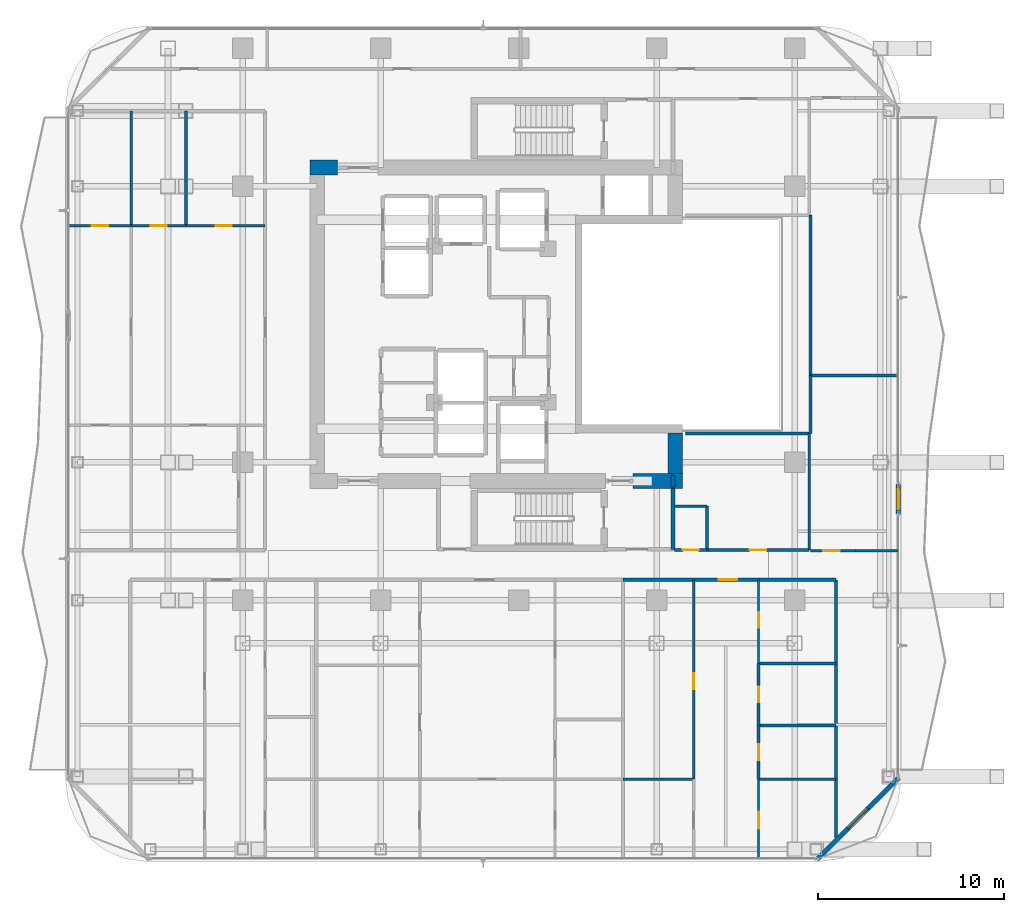
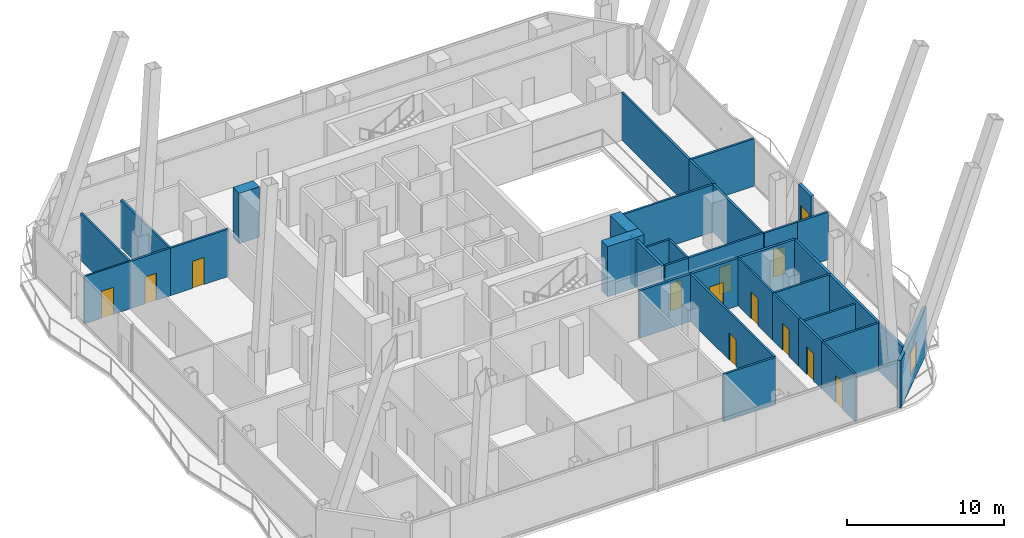
# One storey, part 22 of 27: 34 walls, 13 doors, 1 window, 14 openings.
"""IFC4 building model written with IfcOpenShell, lengths in metres."""

from ifc_helpers import new_model, si_unit, direction, frame, frame_2d, origin, place, context, subcontext, project, spatial, rectangle, extrude, material, layer, layer_set, type_object, element, fill, save


model = new_model("IFC4")

# Units and contexts
model_context = context("Model", 3, precision=1e-05, world=origin(), true_north=direction((0.0, 1.0)))
body_context = subcontext(model_context, "Body", "Model", "MODEL_VIEW")
ifc_project = project(units=[si_unit("LENGTHUNIT", "METRE"), si_unit("AREAUNIT", "SQUARE_METRE"), si_unit("VOLUMEUNIT", "CUBIC_METRE"), si_unit("PLANEANGLEUNIT", "RADIAN"), si_unit("MASSUNIT", "GRAM", prefix="KILO")], contexts=[model_context])

# Site, building, storey
site_placement = place(None, origin())
site = spatial("IfcSite", under=ifc_project, at=site_placement, CompositionType="ELEMENT")
building_placement = place(site_placement, origin())
building = spatial("IfcBuilding", under=site, at=building_placement, Name="Khorvyn Point Tower", CompositionType="ELEMENT")
storey_placement = place(building_placement, frame((0.0, 0.0, 203.10009765625)))
storey = spatial("IfcBuildingStorey", under=building, at=storey_placement, Name="L50", CompositionType="ELEMENT", Elevation=203.10009765625)

# Wall, opening, door
ifc_material_1 = material(Name="Double acoustic gypsum on twin steel stud", Category="steel")
ifc_layer_1 = layer(ifc_material_1, 0.179931640625)
ifc_layer_set_1 = layer_set([ifc_layer_1], Name="Acoustic Double-Stud Apartment Demising Wall 180")
wall_type_1 = type_object("IfcWallType", Name="Acoustic Double-Stud Apartment Demising Wall 180", PredefinedType="PARTITIONING", material=ifc_layer_set_1)
wall_1_placement = place(storey_placement, frame((5.59912109375, -13.699951171875, 0.0), z_axis=(0.0, 0.0, 1.0), x_axis=(1.0, 0.0, 0.0)))
wall_1 = element("IfcWall", 1, at=wall_1_placement, inside=storey, type_object=wall_type_1, Name="Wall", PredefinedType="PARTITIONING", context=body_context, shape_type="SweptSolid", body=[
    extrude(rectangle(XDim=11.4208984375, YDim=0.179931640625, at=frame_2d((5.71044921875, 0.0))), origin(), (0.0, 0.0, 1.0), 3.679931640625),
])
opening_1_placement = place(wall_1_placement, frame((5.121826171875, 0.0, 0.0)))
opening_1 = element("IfcOpeningElement", 2, at=opening_1_placement, cuts=wall_1, Name="Opening ID-AP60", PredefinedType="OPENING", context=body_context, shape_type="SweptSolid", body=[
    extrude(rectangle(XDim=1.0, YDim=2.199951171875, at=frame_2d((0.5, 1.10009765625))), frame((0.0, 0.099853515625, 0.0), z_axis=(0.0, -1.0, 0.0), x_axis=(1.0, 0.0, 0.0)), (0.0, 0.0, 1.0), 0.199951171875),
])
ifc_material_2 = material(Name="Engineered hardwood fire-rated leaf", Category="wood")
door_type_1 = type_object("IfcDoorType", Name="Acoustic Solid-Core Timber Apartment Entrance Door 1000x2200", OperationType="NOTDEFINED", PredefinedType="DOOR", material=ifc_material_2)
door_1_placement = place(opening_1_placement, origin())
door_1 = element("IfcDoor", 3, at=door_1_placement, inside=storey, type_object=door_type_1, Name="Door", OperationType="SINGLE_SWING_RIGHT", OverallHeight=2.199951171875, OverallWidth=1.0, PredefinedType="DOOR", context=body_context, shape_type="SweptSolid", body=[
    extrude(rectangle(XDim=1.0, YDim=2.199951171875, at=frame_2d((0.5, 1.10009765625))), frame((0.0, 0.02490234375, 0.0), z_axis=(0.0, -1.0, 0.0), x_axis=(1.0, 0.0, 0.0)), (0.0, 0.0, 1.0), 0.050048828125),
])
fill(opening_1, door_1)

# Wall
wall_2_placement = place(storey_placement, frame((17.02001953125, -27.510009765625, 0.0), z_axis=(0.0, 0.0, 1.0), x_axis=(0.0, 1.0, 0.0)))
element("IfcWall", 4, at=wall_2_placement, inside=storey, type_object=wall_type_1, Name="Wall", PredefinedType="PARTITIONING", context=body_context, shape_type="SweptSolid", body=[
    extrude(rectangle(XDim=13.81005859375, YDim=0.179931640625, at=frame_2d((6.905029296875, 0.0))), origin(), (0.0, 0.0, 1.0), 3.679931640625),
])

# Wall, opening, door
ifc_material_3 = material(Name="Pale anodised aluminium rainscreen on steel stud", Category="steel")
ifc_layer_2 = layer(ifc_material_3, 0.239990234375)
ifc_layer_set_2 = layer_set([ifc_layer_2], Name="Anodised Aluminium Insulated Corner Spandrel Wall 240")
wall_type_2 = type_object("IfcWallType", Name="Anodised Aluminium Insulated Corner Spandrel Wall 240", PredefinedType="SOLIDWALL", material=ifc_layer_set_2)
wall_3_placement = place(storey_placement, frame((20.35009765625, -8.576904296875, 0.0), z_axis=(0.0, 0.0, 1.0), x_axis=(0.0, -1.0, 0.0)))
wall_3 = element("IfcWall", 5, at=wall_3_placement, inside=storey, type_object=wall_type_2, Name="L50 East Outdoor Threshold Wall", PredefinedType="SOLIDWALL", context=body_context, shape_type="SweptSolid", body=[
    extrude(rectangle(XDim=1.580078125, YDim=0.239990234375, at=frame_2d((0.7900390625, 0.0))), origin(), (0.0, 0.0, 1.0), 3.679931640625),
])
opening_2_placement = place(wall_3_placement, frame((0.239990234375, 0.0, 0.0)))
opening_2 = element("IfcOpeningElement", 6, at=opening_2_placement, cuts=wall_3, Name="Opening BD-1122", PredefinedType="OPENING", context=body_context, shape_type="SweptSolid", body=[
    extrude(rectangle(XDim=1.10009765625, YDim=2.199951171875, at=frame_2d((0.550048828125, 1.10009765625))), frame((0.0, 0.1298828125, 0.0), z_axis=(0.0, -1.0, 0.0), x_axis=(1.0, 0.0, 0.0)), (0.0, 0.0, 1.0), 0.260009765625),
])
ifc_material_4 = material(Name="Anodised aluminium 6063-T6 and laminated Low-E glass", Category="aluminium")
door_type_2 = type_object("IfcDoorType", Name="Glazed Balcony and Terrace Threshold Door 1100x2200", OperationType="NOTDEFINED", PredefinedType="DOOR", material=ifc_material_4)
door_2_placement = place(opening_2_placement, origin())
door_2 = element("IfcDoor", 7, at=door_2_placement, inside=storey, type_object=door_type_2, Name="L50 East Glazed Balcony Outdoor Door", OperationType="SINGLE_SWING_LEFT", OverallHeight=2.199951171875, OverallWidth=1.10009765625, PredefinedType="DOOR", context=body_context, shape_type="SweptSolid", body=[
    extrude(rectangle(XDim=1.10009765625, YDim=2.199951171875, at=frame_2d((0.550048828125, 1.10009765625))), frame((0.0, 0.02490234375, 0.0), z_axis=(0.0, -1.0, 0.0), x_axis=(1.0, 0.0, 0.0)), (0.0, 0.0, 1.0), 0.050048828125),
])
fill(opening_2, door_2)

# Wall, opening, window
wall_4_placement = place(storey_placement, frame((20.392333984375, -24.3076171875, 0.0), z_axis=(0.0, 0.0, 1.0), x_axis=(-0.707106781187, -0.707106781187, 0.0)))
wall_4 = element("IfcWall", 8, at=wall_4_placement, inside=storey, type_object=wall_type_2, Name="L50 Rounded Corner Wall SE", PredefinedType="SOLIDWALL", context=body_context, shape_type="SweptSolid", body=[
    extrude(rectangle(XDim=6.200927734375, YDim=0.239990234375, at=frame_2d((3.1005859375, 0.0))), origin(), (0.0, 0.0, 1.0), 3.679931640625),
])
opening_3_placement = place(wall_4_placement, frame((2.3505859375, 0.0, 0.800048828125)))
opening_3 = element("IfcOpeningElement", 9, at=opening_3_placement, cuts=wall_4, Name="Opening WN-1518", PredefinedType="OPENING", context=body_context, shape_type="SweptSolid", body=[
    extrude(rectangle(XDim=1.5, YDim=1.85009765625, at=frame_2d((0.75, 0.925048828125))), frame((0.0, 0.1298828125, 0.0), z_axis=(0.0, -1.0, 0.0), x_axis=(1.0, 0.0, 0.0)), (0.0, 0.0, 1.0), 0.260009765625),
])
window_type = type_object("IfcWindowType", Name="Anodised Aluminium Rounded-Corner Panoramic Window 1500x1850", PartitioningType="SINGLE_PANEL", PredefinedType="WINDOW", material=ifc_material_4)
window_placement = place(opening_3_placement, origin())
window = element("IfcWindow", 10, at=window_placement, inside=storey, type_object=window_type, Name="L50 Corner Panoramic Window SE", OverallHeight=1.85009765625, OverallWidth=1.5, PartitioningType="SINGLE_PANEL", PredefinedType="WINDOW", context=body_context, shape_type="SweptSolid", body=[
    extrude(rectangle(XDim=1.5, YDim=1.85009765625, at=frame_2d((0.75, 0.925048828125))), frame((0.0, 0.030029296875, 0.0), z_axis=(0.0, -1.0, 0.0), x_axis=(1.0, 0.0, 0.0)), (0.0, 0.0, 1.0), 0.06005859375),
])
fill(opening_3, window)

# Walls
ifc_material_5 = material(Name="Concrete C40/50", Category="concrete")
ifc_layer_3 = layer(ifc_material_5, 0.199951171875)
ifc_layer_set_3 = layer_set([ifc_layer_3], Name="Concrete C40/50 Fire-Lobby Compartment Wall 200")
wall_type_3 = type_object("IfcWallType", Name="Concrete C40/50 Fire-Lobby Compartment Wall 200", PredefinedType="SOLIDWALL", material=ifc_layer_set_3)
wall_5_placement = place(storey_placement, frame((8.280029296875, -12.06005859375, 0.0), z_axis=(0.0, 0.0, 1.0), x_axis=(0.0, 1.0, 0.0)))
element("IfcWall", 11, at=wall_5_placement, inside=storey, type_object=wall_type_3, Name="Wall", PredefinedType="SOLIDWALL", context=body_context, shape_type="SweptSolid", body=[
    extrude(rectangle(XDim=3.260009765625, YDim=0.199951171875, at=frame_2d((1.6298828125, 0.0))), origin(), (0.0, 0.0, 1.0), 3.679931640625),
])
wall_6_placement = place(storey_placement, frame((8.280029296875, -8.72509765625, 0.0), z_axis=(0.0, 0.0, 1.0), x_axis=(0.0, 1.0, 0.0)))
element("IfcWall", 12, at=wall_6_placement, inside=storey, type_object=wall_type_3, Name="Wall", PredefinedType="SOLIDWALL", context=body_context, shape_type="SweptSolid", body=[
    extrude(rectangle(XDim=0.625, YDim=0.199951171875, at=frame_2d((0.3125, 0.0))), origin(), (0.0, 0.0, 1.0), 3.679931640625),
])
ifc_material_6 = material(Name="Concrete C45/55", Category="concrete")
ifc_layer_4 = layer(ifc_material_6, 0.800048828125)
ifc_layer_set_4 = layer_set([ifc_layer_4], Name="Concrete C45/55 Core Shear Wall 800")
wall_type_4 = type_object("IfcWallType", Name="Concrete C45/55 Core Shear Wall 800", PredefinedType="SHEAR", material=ifc_layer_set_4)
wall_7_placement = place(storey_placement, frame((6.1201171875, -8.39990234375, 0.0), z_axis=(0.0, 0.0, 1.0), x_axis=(1.0, 0.0, 0.0)))
element("IfcWall", 13, at=wall_7_placement, inside=storey, type_object=wall_type_4, Name="Wall", PredefinedType="SHEAR", context=body_context, shape_type="SweptSolid", body=[
    extrude(rectangle(XDim=2.679931640625, YDim=0.800048828125, at=frame_2d((1.33984375, 0.0))), origin(), (0.0, 0.0, 1.0), 3.89990234375),
])
wall_8_placement = place(storey_placement, frame((-11.199951171875, 8.39990234375, 0.0), z_axis=(0.0, 0.0, 1.0), x_axis=(1.0, 0.0, 0.0)))
element("IfcWall", 14, at=wall_8_placement, inside=storey, type_object=wall_type_4, Name="Wall", PredefinedType="SHEAR", context=body_context, shape_type="SweptSolid", body=[
    extrude(rectangle(XDim=1.5, YDim=0.800048828125, at=frame_2d((0.75, 0.0))), origin(), (0.0, 0.0, 1.0), 3.89990234375),
])
wall_9_placement = place(storey_placement, frame((8.39990234375, -8.0, 0.0), z_axis=(0.0, 0.0, 1.0), x_axis=(0.0, 1.0, 0.0)))
element("IfcWall", 15, at=wall_9_placement, inside=storey, type_object=wall_type_4, Name="Wall", PredefinedType="SHEAR", context=body_context, shape_type="SweptSolid", body=[
    extrude(rectangle(XDim=2.175048828125, YDim=0.800048828125, at=frame_2d((1.08740234375, 0.0))), origin(), (0.0, 0.0, 1.0), 3.89990234375),
])

# Wall, opening, door
ifc_material_7 = material(Name="Gypsum plasterboard on steel stud", Category="steel")
ifc_layer_5 = layer(ifc_material_7, 0.1201171875)
ifc_layer_set_5 = layer_set([ifc_layer_5], Name="Gypsum Acoustic Stud Room Partition Wall 120")
wall_type_5 = type_object("IfcWallType", Name="Gypsum Acoustic Stud Room Partition Wall 120", PredefinedType="PARTITIONING", material=ifc_layer_set_5)
wall_10_placement = place(storey_placement, frame((12.865966796875, -18.18994140625, 0.0), z_axis=(0.0, 0.0, 1.0), x_axis=(0.0, 1.0, 0.0)))
wall_10 = element("IfcWall", 16, at=wall_10_placement, inside=storey, type_object=wall_type_5, Name="Wall", PredefinedType="PARTITIONING", context=body_context, shape_type="SweptSolid", body=[
    extrude(rectangle(XDim=4.489990234375, YDim=0.1201171875, at=frame_2d((2.2451171875, 0.0))), origin(), (0.0, 0.0, 1.0), 3.679931640625),
])
opening_4_placement = place(wall_10_placement, frame((1.907470703125, 0.0, 0.0)))
opening_4 = element("IfcOpeningElement", 17, at=opening_4_placement, cuts=wall_10, Name="Opening ID-WC85", PredefinedType="OPENING", context=body_context, shape_type="SweptSolid", body=[
    extrude(rectangle(XDim=0.85009765625, YDim=2.10009765625, at=frame_2d((0.425048828125, 1.050048828125))), frame((0.0, 0.070068359375, 0.0), z_axis=(0.0, -1.0, 0.0), x_axis=(1.0, 0.0, 0.0)), (0.0, 0.0, 1.0), 0.14013671875),
])
ifc_material_8 = material(Name="High-pressure laminate on moisture-resistant core", Category="wood")
door_type_3 = type_object("IfcDoorType", Name="Moisture-Resistant Accessible Washroom Door 850x2100", OperationType="NOTDEFINED", PredefinedType="DOOR", material=ifc_material_8)
door_3_placement = place(opening_4_placement, origin())
door_3 = element("IfcDoor", 18, at=door_3_placement, inside=storey, type_object=door_type_3, Name="Door", OperationType="SINGLE_SWING_LEFT", OverallHeight=2.10009765625, OverallWidth=0.85009765625, PredefinedType="DOOR", context=body_context, shape_type="SweptSolid", body=[
    extrude(rectangle(XDim=0.85009765625, YDim=2.10009765625, at=frame_2d((0.425048828125, 1.050048828125))), frame((0.0, 0.02490234375, 0.0), z_axis=(0.0, -1.0, 0.0), x_axis=(1.0, 0.0, 0.0)), (0.0, 0.0, 1.0), 0.050048828125),
])
fill(opening_4, door_3)

wall_11_placement = place(storey_placement, frame((12.865966796875, -28.6298828125, 0.0), z_axis=(0.0, 0.0, 1.0), x_axis=(0.0, 1.0, 0.0)))
wall_11 = element("IfcWall", 19, at=wall_11_placement, inside=storey, type_object=wall_type_5, Name="Wall", PredefinedType="PARTITIONING", context=body_context, shape_type="SweptSolid", body=[
    extrude(rectangle(XDim=4.239990234375, YDim=0.1201171875, at=frame_2d((2.1201171875, 0.0))), origin(), (0.0, 0.0, 1.0), 3.679931640625),
])
opening_5_placement = place(wall_11_placement, frame((1.581298828125, 0.0, 0.0)))
opening_5 = element("IfcOpeningElement", 20, at=opening_5_placement, cuts=wall_11, Name="Opening ID-RM90", PredefinedType="OPENING", context=body_context, shape_type="SweptSolid", body=[
    extrude(rectangle(XDim=0.89990234375, YDim=2.10009765625, at=frame_2d((0.449951171875, 1.050048828125))), frame((0.0, 0.070068359375, 0.0), z_axis=(0.0, -1.0, 0.0), x_axis=(1.0, 0.0, 0.0)), (0.0, 0.0, 1.0), 0.14013671875),
])
ifc_material_9 = material(Name="Engineered oak veneer timber", Category="wood")
door_type_4 = type_object("IfcDoorType", Name="Flush Engineered Timber Room Door 900x2100", OperationType="NOTDEFINED", PredefinedType="DOOR", material=ifc_material_9)
door_4_placement = place(opening_5_placement, origin())
door_4 = element("IfcDoor", 21, at=door_4_placement, inside=storey, type_object=door_type_4, Name="Door", OperationType="SINGLE_SWING_RIGHT", OverallHeight=2.10009765625, OverallWidth=0.89990234375, PredefinedType="DOOR", context=body_context, shape_type="SweptSolid", body=[
    extrude(rectangle(XDim=0.89990234375, YDim=2.10009765625, at=frame_2d((0.449951171875, 1.050048828125))), frame((0.0, 0.02490234375, 0.0), z_axis=(0.0, -1.0, 0.0), x_axis=(1.0, 0.0, 0.0)), (0.0, 0.0, 1.0), 0.050048828125),
])
fill(opening_5, door_4)

wall_12_placement = place(storey_placement, frame((-24.1298828125, 5.281982421875, 0.0), z_axis=(0.0, 0.0, 1.0), x_axis=(1.0, 0.0, 0.0)))
wall_12 = element("IfcWall", 22, at=wall_12_placement, inside=storey, type_object=wall_type_5, Name="Wall", PredefinedType="PARTITIONING", context=body_context, shape_type="SweptSolid", body=[
    extrude(rectangle(XDim=3.36083984375, YDim=0.1201171875, at=frame_2d((1.680419921875, 0.0))), origin(), (0.0, 0.0, 1.0), 3.679931640625),
])
opening_6_placement = place(wall_12_placement, frame((1.23046875, 0.0, 0.0)))
opening_6 = element("IfcOpeningElement", 23, at=opening_6_placement, cuts=wall_12, Name="Opening ID-RM90", PredefinedType="OPENING", context=body_context, shape_type="SweptSolid", body=[
    extrude(rectangle(XDim=0.89990234375, YDim=2.10009765625, at=frame_2d((0.449951171875, 1.050048828125))), frame((0.0, 0.070068359375, 0.0), z_axis=(0.0, -1.0, 0.0), x_axis=(1.0, 0.0, 0.0)), (0.0, 0.0, 1.0), 0.14013671875),
])
door_5_placement = place(opening_6_placement, origin())
door_5 = element("IfcDoor", 24, at=door_5_placement, inside=storey, type_object=door_type_4, Name="Door", OperationType="SINGLE_SWING_RIGHT", OverallHeight=2.10009765625, OverallWidth=0.89990234375, PredefinedType="DOOR", context=body_context, shape_type="SweptSolid", body=[
    extrude(rectangle(XDim=0.89990234375, YDim=2.10009765625, at=frame_2d((0.449951171875, 1.050048828125))), frame((0.0, 0.02490234375, 0.0), z_axis=(0.0, -1.0, 0.0), x_axis=(1.0, 0.0, 0.0)), (0.0, 0.0, 1.0), 0.050048828125),
])
fill(opening_6, door_5)

ifc_material_10 = material(Name="Moisture-resistant gypsum and cement board", Category="gypsum")
ifc_layer_6 = layer(ifc_material_10, 0.14990234375)
ifc_layer_set_6 = layer_set([ifc_layer_6], Name="Moisture-Resistant Wet-Room Partition Wall 150")
wall_type_6 = type_object("IfcWallType", Name="Moisture-Resistant Wet-Room Partition Wall 150", PredefinedType="PARTITIONING", material=ifc_layer_set_6)
wall_13_placement = place(storey_placement, frame((8.360107421875, -12.10009765625, 0.0), z_axis=(0.0, 0.0, 1.0), x_axis=(1.0, 0.0, 0.0)))
wall_13 = element("IfcWall", 25, at=wall_13_placement, inside=storey, type_object=wall_type_6, Name="Wall", PredefinedType="PARTITIONING", context=body_context, shape_type="SweptSolid", body=[
    extrude(rectangle(XDim=1.739990234375, YDim=0.14990234375, at=frame_2d((0.8701171875, 0.0))), origin(), (0.0, 0.0, 1.0), 3.679931640625),
])
opening_7_placement = place(wall_13_placement, frame((0.445068359375, 0.0, 0.0)))
opening_7 = element("IfcOpeningElement", 26, at=opening_7_placement, cuts=wall_13, Name="Opening ID-WC85", PredefinedType="OPENING", context=body_context, shape_type="SweptSolid", body=[
    extrude(rectangle(XDim=0.85009765625, YDim=2.10009765625, at=frame_2d((0.425048828125, 1.050048828125))), frame((0.0, 0.0849609375, 0.0), z_axis=(0.0, -1.0, 0.0), x_axis=(1.0, 0.0, 0.0)), (0.0, 0.0, 1.0), 0.169921875),
])
door_6_placement = place(opening_7_placement, origin())
door_6 = element("IfcDoor", 27, at=door_6_placement, inside=storey, type_object=door_type_3, Name="Door", OperationType="SINGLE_SWING_RIGHT", OverallHeight=2.10009765625, OverallWidth=0.85009765625, PredefinedType="DOOR", context=body_context, shape_type="SweptSolid", body=[
    extrude(rectangle(XDim=0.85009765625, YDim=2.10009765625, at=frame_2d((0.425048828125, 1.050048828125))), frame((0.0, 0.02490234375, 0.0), z_axis=(0.0, -1.0, 0.0), x_axis=(1.0, 0.0, 0.0)), (0.0, 0.0, 1.0), 0.050048828125),
])
fill(opening_7, door_6)

wall_14_placement = place(storey_placement, frame((10.10009765625, -12.10009765625, 0.0), z_axis=(0.0, 0.0, 1.0), x_axis=(1.0, 0.0, 0.0)))
wall_14 = element("IfcWall", 28, at=wall_14_placement, inside=storey, type_object=wall_type_6, Name="Wall", PredefinedType="PARTITIONING", context=body_context, shape_type="SweptSolid", body=[
    extrude(rectangle(XDim=5.47998046875, YDim=0.14990234375, at=frame_2d((2.739990234375, 0.0))), origin(), (0.0, 0.0, 1.0), 3.679931640625),
])
opening_8_placement = place(wall_14_placement, frame((2.2900390625, 0.0, 0.0)))
opening_8 = element("IfcOpeningElement", 29, at=opening_8_placement, cuts=wall_14, Name="Opening ID-RM90", PredefinedType="OPENING", context=body_context, shape_type="SweptSolid", body=[
    extrude(rectangle(XDim=0.89990234375, YDim=2.10009765625, at=frame_2d((0.449951171875, 1.050048828125))), frame((0.0, 0.0849609375, 0.0), z_axis=(0.0, -1.0, 0.0), x_axis=(1.0, 0.0, 0.0)), (0.0, 0.0, 1.0), 0.169921875),
])
door_7_placement = place(opening_8_placement, origin())
door_7 = element("IfcDoor", 30, at=door_7_placement, inside=storey, type_object=door_type_4, Name="Door", OperationType="SINGLE_SWING_LEFT", OverallHeight=2.10009765625, OverallWidth=0.89990234375, PredefinedType="DOOR", context=body_context, shape_type="SweptSolid", body=[
    extrude(rectangle(XDim=0.89990234375, YDim=2.10009765625, at=frame_2d((0.449951171875, 1.050048828125))), frame((0.0, 0.02490234375, 0.0), z_axis=(0.0, -1.0, 0.0), x_axis=(1.0, 0.0, 0.0)), (0.0, 0.0, 1.0), 0.050048828125),
])
fill(opening_8, door_7)

wall_15_placement = place(storey_placement, frame((9.385986328125, -24.389892578125, 0.0), z_axis=(0.0, 0.0, 1.0), x_axis=(0.0, 1.0, 0.0)))
wall_15 = element("IfcWall", 31, at=wall_15_placement, inside=storey, type_object=wall_type_6, Name="Wall", PredefinedType="PARTITIONING", context=body_context, shape_type="SweptSolid", body=[
    extrude(rectangle(XDim=10.68994140625, YDim=0.14990234375, at=frame_2d((5.344970703125, 0.0))), origin(), (0.0, 0.0, 1.0), 3.679931640625),
])
opening_9_placement = place(wall_15_placement, frame((4.830078125, 0.0, 0.0)))
opening_9 = element("IfcOpeningElement", 32, at=opening_9_placement, cuts=wall_15, Name="Opening ID-WC85", PredefinedType="OPENING", context=body_context, shape_type="SweptSolid", body=[
    extrude(rectangle(XDim=0.85009765625, YDim=2.10009765625, at=frame_2d((0.425048828125, 1.050048828125))), frame((0.0, 0.0849609375, 0.0), z_axis=(0.0, -1.0, 0.0), x_axis=(1.0, 0.0, 0.0)), (0.0, 0.0, 1.0), 0.169921875),
])
door_8_placement = place(opening_9_placement, origin())
door_8 = element("IfcDoor", 33, at=door_8_placement, inside=storey, type_object=door_type_3, Name="Door", OperationType="SINGLE_SWING_LEFT", OverallHeight=2.10009765625, OverallWidth=0.85009765625, PredefinedType="DOOR", context=body_context, shape_type="SweptSolid", body=[
    extrude(rectangle(XDim=0.85009765625, YDim=2.10009765625, at=frame_2d((0.425048828125, 1.050048828125))), frame((0.0, 0.02490234375, 0.0), z_axis=(0.0, -1.0, 0.0), x_axis=(1.0, 0.0, 0.0)), (0.0, 0.0, 1.0), 0.050048828125),
])
fill(opening_9, door_8)

wall_16_placement = place(storey_placement, frame((12.865966796875, -24.389892578125, 0.0), z_axis=(0.0, 0.0, 1.0), x_axis=(0.0, 1.0, 0.0)))
wall_16 = element("IfcWall", 34, at=wall_16_placement, inside=storey, type_object=wall_type_6, Name="Wall", PredefinedType="PARTITIONING", context=body_context, shape_type="SweptSolid", body=[
    extrude(rectangle(XDim=2.885986328125, YDim=0.14990234375, at=frame_2d((1.44287109375, 0.0))), origin(), (0.0, 0.0, 1.0), 3.679931640625),
])
opening_10_placement = place(wall_16_placement, frame((1.01806640625, 0.0, 0.0)))
opening_10 = element("IfcOpeningElement", 35, at=opening_10_placement, cuts=wall_16, Name="Opening ID-WC85", PredefinedType="OPENING", context=body_context, shape_type="SweptSolid", body=[
    extrude(rectangle(XDim=0.85009765625, YDim=2.10009765625, at=frame_2d((0.425048828125, 1.050048828125))), frame((0.0, 0.0849609375, 0.0), z_axis=(0.0, -1.0, 0.0), x_axis=(1.0, 0.0, 0.0)), (0.0, 0.0, 1.0), 0.169921875),
])
door_9_placement = place(opening_10_placement, origin())
door_9 = element("IfcDoor", 36, at=door_9_placement, inside=storey, type_object=door_type_3, Name="Door", OperationType="SINGLE_SWING_LEFT", OverallHeight=2.10009765625, OverallWidth=0.85009765625, PredefinedType="DOOR", context=body_context, shape_type="SweptSolid", body=[
    extrude(rectangle(XDim=0.85009765625, YDim=2.10009765625, at=frame_2d((0.425048828125, 1.050048828125))), frame((0.0, 0.02490234375, 0.0), z_axis=(0.0, -1.0, 0.0), x_axis=(1.0, 0.0, 0.0)), (0.0, 0.0, 1.0), 0.050048828125),
])
fill(opening_10, door_9)

wall_17_placement = place(storey_placement, frame((12.865966796875, -21.50390625, 0.0), z_axis=(0.0, 0.0, 1.0), x_axis=(0.0, 1.0, 0.0)))
wall_17 = element("IfcWall", 37, at=wall_17_placement, inside=storey, type_object=wall_type_6, Name="Wall", PredefinedType="PARTITIONING", context=body_context, shape_type="SweptSolid", body=[
    extrude(rectangle(XDim=3.31396484375, YDim=0.14990234375, at=frame_2d((1.656982421875, 0.0))), origin(), (0.0, 0.0, 1.0), 3.679931640625),
])
opening_11_placement = place(wall_17_placement, frame((1.23193359375, 0.0, 0.0)))
opening_11 = element("IfcOpeningElement", 38, at=opening_11_placement, cuts=wall_17, Name="Opening ID-WC85", PredefinedType="OPENING", context=body_context, shape_type="SweptSolid", body=[
    extrude(rectangle(XDim=0.85009765625, YDim=2.10009765625, at=frame_2d((0.425048828125, 1.050048828125))), frame((0.0, 0.0849609375, 0.0), z_axis=(0.0, -1.0, 0.0), x_axis=(1.0, 0.0, 0.0)), (0.0, 0.0, 1.0), 0.169921875),
])
door_10_placement = place(opening_11_placement, origin())
door_10 = element("IfcDoor", 39, at=door_10_placement, inside=storey, type_object=door_type_3, Name="Door", OperationType="SINGLE_SWING_RIGHT", OverallHeight=2.10009765625, OverallWidth=0.85009765625, PredefinedType="DOOR", context=body_context, shape_type="SweptSolid", body=[
    extrude(rectangle(XDim=0.85009765625, YDim=2.10009765625, at=frame_2d((0.425048828125, 1.050048828125))), frame((0.0, 0.02490234375, 0.0), z_axis=(0.0, -1.0, 0.0), x_axis=(1.0, 0.0, 0.0)), (0.0, 0.0, 1.0), 0.050048828125),
])
fill(opening_11, door_10)

wall_18_placement = place(storey_placement, frame((-20.76904296875, 5.281982421875, 0.0), z_axis=(0.0, 0.0, 1.0), x_axis=(1.0, 0.0, 0.0)))
wall_18 = element("IfcWall", 40, at=wall_18_placement, inside=storey, type_object=wall_type_6, Name="Wall", PredefinedType="PARTITIONING", context=body_context, shape_type="SweptSolid", body=[
    extrude(rectangle(XDim=2.93896484375, YDim=0.14990234375, at=frame_2d((1.469482421875, 0.0))), origin(), (0.0, 0.0, 1.0), 3.679931640625),
])
opening_12_placement = place(wall_18_placement, frame((1.04443359375, 0.0, 0.0)))
opening_12 = element("IfcOpeningElement", 41, at=opening_12_placement, cuts=wall_18, Name="Opening ID-WC85", PredefinedType="OPENING", context=body_context, shape_type="SweptSolid", body=[
    extrude(rectangle(XDim=0.85009765625, YDim=2.10009765625, at=frame_2d((0.425048828125, 1.050048828125))), frame((0.0, 0.0849609375, 0.0), z_axis=(0.0, -1.0, 0.0), x_axis=(1.0, 0.0, 0.0)), (0.0, 0.0, 1.0), 0.169921875),
])
door_11_placement = place(opening_12_placement, origin())
door_11 = element("IfcDoor", 42, at=door_11_placement, inside=storey, type_object=door_type_3, Name="Door", OperationType="SINGLE_SWING_RIGHT", OverallHeight=2.10009765625, OverallWidth=0.85009765625, PredefinedType="DOOR", context=body_context, shape_type="SweptSolid", body=[
    extrude(rectangle(XDim=0.85009765625, YDim=2.10009765625, at=frame_2d((0.425048828125, 1.050048828125))), frame((0.0, 0.02490234375, 0.0), z_axis=(0.0, -1.0, 0.0), x_axis=(1.0, 0.0, 0.0)), (0.0, 0.0, 1.0), 0.050048828125),
])
fill(opening_12, door_11)

wall_19_placement = place(storey_placement, frame((-17.830078125, 5.281982421875, 0.0), z_axis=(0.0, 0.0, 1.0), x_axis=(1.0, 0.0, 0.0)))
wall_19 = element("IfcWall", 43, at=wall_19_placement, inside=storey, type_object=wall_type_6, Name="Wall", PredefinedType="PARTITIONING", context=body_context, shape_type="SweptSolid", body=[
    extrude(rectangle(XDim=4.22998046875, YDim=0.14990234375, at=frame_2d((2.114990234375, 0.0))), origin(), (0.0, 0.0, 1.0), 3.679931640625),
])
opening_13_placement = place(wall_19_placement, frame((1.60009765625, 0.0, 0.0)))
opening_13 = element("IfcOpeningElement", 44, at=opening_13_placement, cuts=wall_19, Name="Opening ID-WC85", PredefinedType="OPENING", context=body_context, shape_type="SweptSolid", body=[
    extrude(rectangle(XDim=0.85009765625, YDim=2.10009765625, at=frame_2d((0.425048828125, 1.050048828125))), frame((0.0, 0.0849609375, 0.0), z_axis=(0.0, -1.0, 0.0), x_axis=(1.0, 0.0, 0.0)), (0.0, 0.0, 1.0), 0.169921875),
])
door_12_placement = place(opening_13_placement, origin())
door_12 = element("IfcDoor", 45, at=door_12_placement, inside=storey, type_object=door_type_3, Name="Door", OperationType="SINGLE_SWING_LEFT", OverallHeight=2.10009765625, OverallWidth=0.85009765625, PredefinedType="DOOR", context=body_context, shape_type="SweptSolid", body=[
    extrude(rectangle(XDim=0.85009765625, YDim=2.10009765625, at=frame_2d((0.425048828125, 1.050048828125))), frame((0.0, 0.02490234375, 0.0), z_axis=(0.0, -1.0, 0.0), x_axis=(1.0, 0.0, 0.0)), (0.0, 0.0, 1.0), 0.050048828125),
])
fill(opening_13, door_12)

wall_20_placement = place(storey_placement, frame((15.64990234375, -12.139892578125, 0.0), z_axis=(0.0, 0.0, 1.0), x_axis=(1.0, 0.0, 0.0)))
wall_20 = element("IfcWall", 46, at=wall_20_placement, inside=storey, type_object=wall_type_6, Name="Wall", PredefinedType="PARTITIONING", context=body_context, shape_type="SweptSolid", body=[
    extrude(rectangle(XDim=2.420166015625, YDim=0.14990234375, at=frame_2d((1.2099609375, 0.0))), origin(), (0.0, 0.0, 1.0), 3.679931640625),
])
opening_14_placement = place(wall_20_placement, frame((0.67431640625, 0.0, 0.0)))
opening_14 = element("IfcOpeningElement", 47, at=opening_14_placement, cuts=wall_20, Name="Opening ID-RM90", PredefinedType="OPENING", context=body_context, shape_type="SweptSolid", body=[
    extrude(rectangle(XDim=0.89990234375, YDim=2.10009765625, at=frame_2d((0.449951171875, 1.050048828125))), frame((0.0, 0.0849609375, 0.0), z_axis=(0.0, -1.0, 0.0), x_axis=(1.0, 0.0, 0.0)), (0.0, 0.0, 1.0), 0.169921875),
])
door_13_placement = place(opening_14_placement, origin())
door_13 = element("IfcDoor", 48, at=door_13_placement, inside=storey, type_object=door_type_4, Name="Door", OperationType="SINGLE_SWING_LEFT", OverallHeight=2.10009765625, OverallWidth=0.89990234375, PredefinedType="DOOR", context=body_context, shape_type="SweptSolid", body=[
    extrude(rectangle(XDim=0.89990234375, YDim=2.10009765625, at=frame_2d((0.449951171875, 1.050048828125))), frame((0.0, 0.02490234375, 0.0), z_axis=(0.0, -1.0, 0.0), x_axis=(1.0, 0.0, 0.0)), (0.0, 0.0, 1.0), 0.050048828125),
])
fill(opening_14, door_13)

# Walls
wall_21_placement = place(storey_placement, frame((8.360107421875, -9.75, 0.0), z_axis=(0.0, 0.0, 1.0), x_axis=(1.0, 0.0, 0.0)))
element("IfcWall", 49, at=wall_21_placement, inside=storey, type_object=wall_type_6, Name="Wall", PredefinedType="PARTITIONING", context=body_context, shape_type="SweptSolid", body=[
    extrude(rectangle(XDim=1.739990234375, YDim=0.14990234375, at=frame_2d((0.8701171875, 0.0))), origin(), (0.0, 0.0, 1.0), 3.679931640625),
])
wall_22_placement = place(storey_placement, frame((10.10009765625, -12.10009765625, 0.0), z_axis=(0.0, 0.0, 1.0), x_axis=(0.0, 1.0, 0.0)))
element("IfcWall", 50, at=wall_22_placement, inside=storey, type_object=wall_type_6, Name="Wall", PredefinedType="PARTITIONING", context=body_context, shape_type="SweptSolid", body=[
    extrude(rectangle(XDim=2.35009765625, YDim=0.14990234375, at=frame_2d((1.175048828125, 0.0))), origin(), (0.0, 0.0, 1.0), 3.679931640625),
])
wall_23_placement = place(storey_placement, frame((15.580078125, -12.10009765625, 0.0), z_axis=(0.0, 0.0, 1.0), x_axis=(0.0, 1.0, 0.0)))
element("IfcWall", 51, at=wall_23_placement, inside=storey, type_object=wall_type_6, Name="Wall", PredefinedType="PARTITIONING", context=body_context, shape_type="SweptSolid", body=[
    extrude(rectangle(XDim=6.25, YDim=0.14990234375, at=frame_2d((3.125, 0.0))), origin(), (0.0, 0.0, 1.0), 3.679931640625),
])
wall_24_placement = place(storey_placement, frame((8.9599609375, -5.85009765625, 0.0), z_axis=(0.0, 0.0, 1.0), x_axis=(1.0, 0.0, 0.0)))
element("IfcWall", 52, at=wall_24_placement, inside=storey, type_object=wall_type_6, Name="Wall", PredefinedType="PARTITIONING", context=body_context, shape_type="SweptSolid", body=[
    extrude(rectangle(XDim=6.6201171875, YDim=0.14990234375, at=frame_2d((3.31005859375, 0.0))), origin(), (0.0, 0.0, 1.0), 3.679931640625),
])
wall_25_placement = place(storey_placement, frame((5.59912109375, -24.389892578125, 0.0), z_axis=(0.0, 0.0, 1.0), x_axis=(1.0, 0.0, 0.0)))
element("IfcWall", 53, at=wall_25_placement, inside=storey, type_object=wall_type_6, Name="Wall", PredefinedType="PARTITIONING", context=body_context, shape_type="SweptSolid", body=[
    extrude(rectangle(XDim=3.786865234375, YDim=0.14990234375, at=frame_2d((1.8935546875, 0.0))), origin(), (0.0, 0.0, 1.0), 3.679931640625),
])
wall_26_placement = place(storey_placement, frame((12.865966796875, -21.50390625, 0.0), z_axis=(0.0, 0.0, 1.0), x_axis=(1.0, 0.0, 0.0)))
element("IfcWall", 54, at=wall_26_placement, inside=storey, type_object=wall_type_6, Name="Wall", PredefinedType="PARTITIONING", context=body_context, shape_type="SweptSolid", body=[
    extrude(rectangle(XDim=4.154052734375, YDim=0.14990234375, at=frame_2d((2.0771484375, 0.0))), origin(), (0.0, 0.0, 1.0), 3.419921875),
])
for number, where, z_axis, x_axis, name in (
    (55, (12.865966796875, -18.18994140625, 0.0), (0.0, 0.0, 1.0), (1.0, 0.0, 0.0), "Wall"),
    (56, (12.865966796875, -24.389892578125, 0.0), (0.0, 0.0, 1.0), (1.0, 0.0, 0.0), "Wall"),
):
    element("IfcWall", number, at=place(storey_placement, frame(where, z_axis=z_axis, x_axis=x_axis)), inside=storey, type_object=wall_type_6, Name=name, PredefinedType="PARTITIONING", context=body_context, shape_type="SweptSolid", body=[
        extrude(rectangle(XDim=4.154052734375, YDim=0.14990234375, at=frame_2d((2.0771484375, 0.0))), origin(), (0.0, 0.0, 1.0), 3.679931640625),
    ])
for number, where, z_axis, x_axis, name in (
    (57, (-17.830078125, 5.281982421875, 0.0), (0.0, 0.0, 1.0), (0.0, 1.0, 0.0), "Wall"),
    (58, (-20.76904296875, 5.281982421875, 0.0), (0.0, 0.0, 1.0), (0.0, 1.0, 0.0), "Wall"),
):
    element("IfcWall", number, at=place(storey_placement, frame(where, z_axis=z_axis, x_axis=x_axis)), inside=storey, type_object=wall_type_6, Name=name, PredefinedType="PARTITIONING", context=body_context, shape_type="SweptSolid", body=[
        extrude(rectangle(XDim=6.14794921875, YDim=0.14990234375, at=frame_2d((3.073974609375, 0.0))), origin(), (0.0, 0.0, 1.0), 3.679931640625),
    ])
wall_27_placement = place(storey_placement, frame((15.64990234375, -5.85009765625, 0.0), z_axis=(0.0, 0.0, 1.0), x_axis=(0.0, 1.0, 0.0)))
element("IfcWall", 59, at=wall_27_placement, inside=storey, type_object=wall_type_6, Name="Wall", PredefinedType="PARTITIONING", context=body_context, shape_type="SweptSolid", body=[
    extrude(rectangle(XDim=3.10009765625, YDim=0.14990234375, at=frame_2d((1.550048828125, 0.0))), origin(), (0.0, 0.0, 1.0), 3.679931640625),
])
wall_28_placement = place(storey_placement, frame((15.64990234375, -2.75, 0.0), z_axis=(0.0, 0.0, 1.0), x_axis=(0.0, 1.0, 0.0)))
element("IfcWall", 60, at=wall_28_placement, inside=storey, type_object=wall_type_6, Name="Wall", PredefinedType="PARTITIONING", context=body_context, shape_type="SweptSolid", body=[
    extrude(rectangle(XDim=8.60009765625, YDim=0.14990234375, at=frame_2d((4.300048828125, 0.0))), origin(), (0.0, 0.0, 1.0), 3.679931640625),
])
wall_29_placement = place(storey_placement, frame((15.64990234375, -2.75, 0.0), z_axis=(0.0, 0.0, 1.0), x_axis=(1.0, 0.0, 0.0)))
element("IfcWall", 61, at=wall_29_placement, inside=storey, type_object=wall_type_6, Name="Wall", PredefinedType="PARTITIONING", context=body_context, shape_type="SweptSolid", body=[
    extrude(rectangle(XDim=4.68017578125, YDim=0.14990234375, at=frame_2d((2.340087890625, 0.0))), origin(), (0.0, 0.0, 1.0), 3.679931640625),
])
wall_30_placement = place(storey_placement, frame((18.070068359375, -12.139892578125, 0.0), z_axis=(0.0, 0.0, 1.0), x_axis=(1.0, 0.0, 0.0)))
element("IfcWall", 62, at=wall_30_placement, inside=storey, type_object=wall_type_6, Name="Wall", PredefinedType="PARTITIONING", context=body_context, shape_type="SweptSolid", body=[
    extrude(rectangle(XDim=2.260009765625, YDim=0.14990234375, at=frame_2d((1.1298828125, 0.0))), origin(), (0.0, 0.0, 1.0), 3.679931640625),
])

save(model, "model.ifc")
